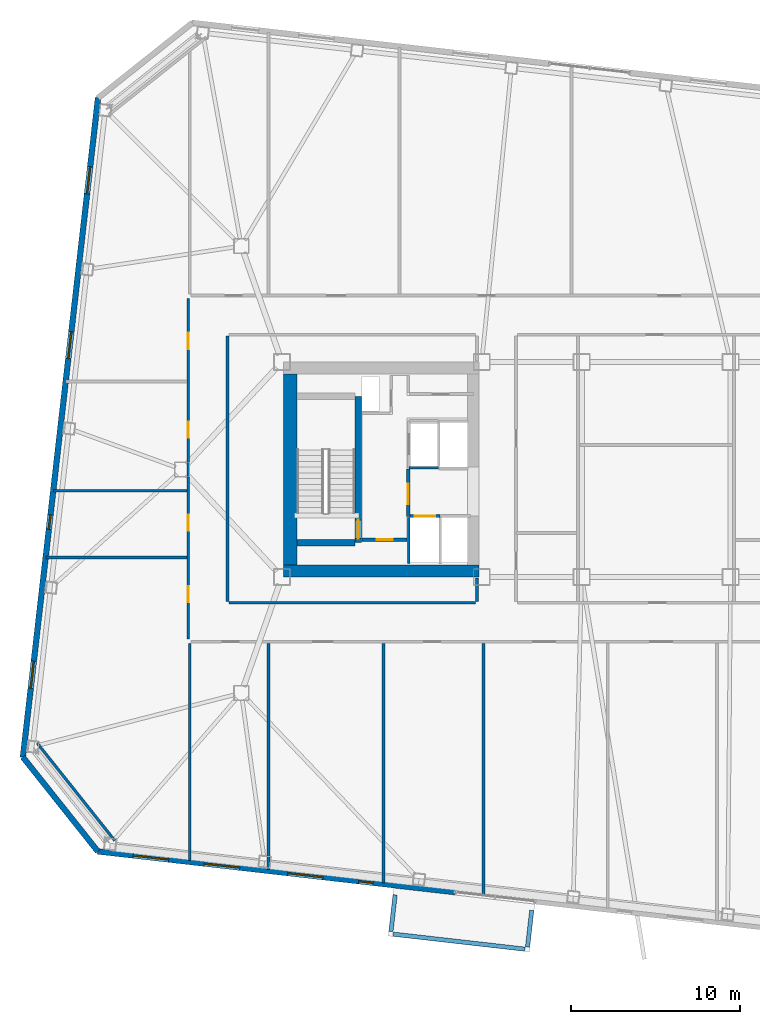
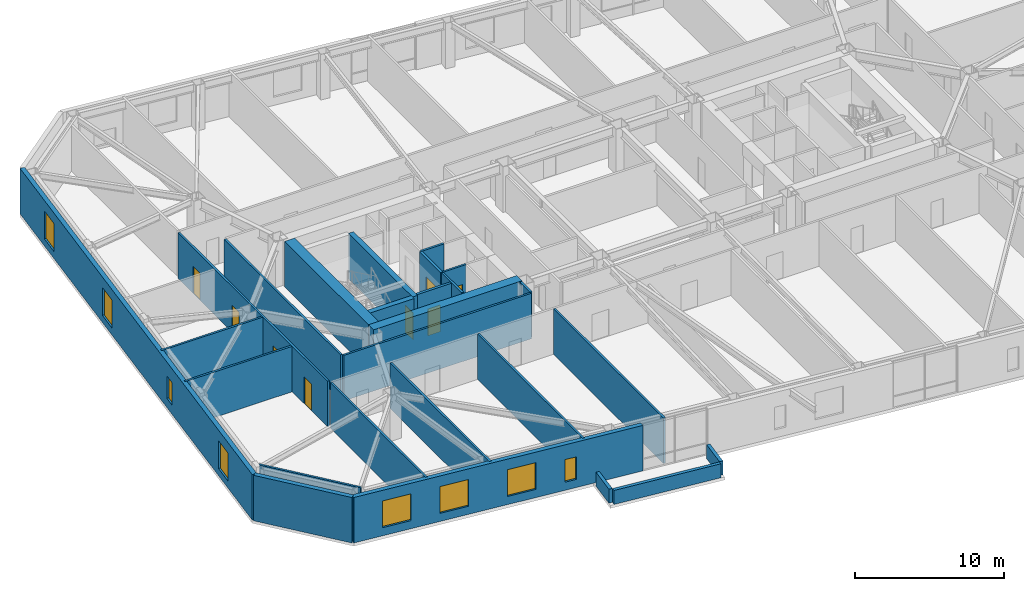
# One storey, part 11 of 20: 26 walls, 8 doors, 8 windows, 16 openings.
"""IFC4 building model written with IfcOpenShell, lengths in metres."""

from ifc_helpers import new_model, si_unit, direction, frame, frame_2d, origin, place, context, subcontext, project, spatial, rectangle, extrude, material, layer, layer_set, type_object, element, fill, save


model = new_model("IFC4")

# Units and contexts
model_context = context("Model", 3, precision=1e-05, world=origin(), true_north=direction((0.0, 1.0)))
body_context = subcontext(model_context, "Body", "Model", "MODEL_VIEW")
ifc_project = project(units=[si_unit("LENGTHUNIT", "METRE"), si_unit("AREAUNIT", "SQUARE_METRE"), si_unit("VOLUMEUNIT", "CUBIC_METRE"), si_unit("PLANEANGLEUNIT", "RADIAN"), si_unit("MASSUNIT", "GRAM", prefix="KILO")], contexts=[model_context])

# Site, building, storey
site_placement = place(None, origin())
site = spatial("IfcSite", under=ifc_project, at=site_placement, CompositionType="ELEMENT")
building_placement = place(site_placement, origin())
building = spatial("IfcBuilding", under=site, at=building_placement, Name="Tavrogorsk Clinical Tower", CompositionType="ELEMENT")
storey_placement = place(building_placement, frame((0.0, 0.0, 105.39990234375)))
storey = spatial("IfcBuildingStorey", under=building, at=storey_placement, Name="L23", CompositionType="ELEMENT", Elevation=105.39990234375)

# Wall, opening, door
ifc_material_1 = material(Name="Concrete B60", Category="concrete")
ifc_layer_1 = layer(ifc_material_1, 0.199951171875)
ifc_layer_set_1 = layer_set([ifc_layer_1], Name="Concrete B60")
wall_type_1 = type_object("IfcWallType", Name="CoreFireWall_200", PredefinedType="SOLIDWALL", material=ifc_layer_set_1)
wall_1_placement = place(storey_placement, frame((-17.3798828125, -4.139892578125, 0.0), z_axis=(0.0, 0.0, 1.0), x_axis=(1.0, 0.0, 0.0)))
wall_1 = element("IfcWall", 1, at=wall_1_placement, inside=storey, type_object=wall_type_1, Name="L23 Core West South Core Room Fire Wall", PredefinedType="SOLIDWALL", context=body_context, shape_type="SweptSolid", body=[
    extrude(rectangle(XDim=2.659912109375, YDim=0.199951171875, at=frame_2d((1.330078125, 0.0))), origin(), (0.0, 0.0, 1.0), 3.739990234375),
])
opening_1_placement = place(wall_1_placement, frame((0.8798828125, 0.0, 0.0)))
opening_1 = element("IfcOpeningElement", 2, at=opening_1_placement, cuts=wall_1, Name="Opening ID-02", PredefinedType="OPENING", context=body_context, shape_type="SweptSolid", body=[
    extrude(rectangle(XDim=0.949951171875, YDim=2.199951171875, at=frame_2d((0.47509765625, 1.10009765625))), frame((0.0, 0.10986328125, 0.0), z_axis=(0.0, -1.0, 0.0), x_axis=(1.0, 0.0, 0.0)), (0.0, 0.0, 1.0), 0.219970703125),
])
ifc_material_2 = material(Name="Laminated timber leaf on aluminium frame", Category="wood")
door_type_1 = type_object("IfcDoorType", Name="InteriorDoor_ID02_950", OperationType="NOTDEFINED", PredefinedType="DOOR", material=ifc_material_2)
door_1_placement = place(opening_1_placement, origin())
door_1 = element("IfcDoor", 3, at=door_1_placement, inside=storey, type_object=door_type_1, Name="L23 Core West South Core Room Door", OperationType="SINGLE_SWING_RIGHT", OverallHeight=2.199951171875, OverallWidth=0.949951171875, PredefinedType="DOOR", context=body_context, shape_type="SweptSolid", body=[
    extrude(rectangle(XDim=0.949951171875, YDim=2.199951171875, at=frame_2d((0.47509765625, 1.10009765625))), frame((0.0, 0.02490234375, 0.0), z_axis=(0.0, -1.0, 0.0), x_axis=(1.0, 0.0, 0.0)), (0.0, 0.0, 1.0), 0.050048828125),
])
fill(opening_1, door_1)

wall_2_placement = place(storey_placement, frame((-14.639892578125, -2.780029296875, 0.0), z_axis=(0.0, 0.0, 1.0), x_axis=(0.0, 1.0, 0.0)))
wall_2 = element("IfcWall", 4, at=wall_2_placement, inside=storey, type_object=wall_type_1, Name="L23 Core West Firefighting Lobby Fire Wall", PredefinedType="SOLIDWALL", context=body_context, shape_type="SweptSolid", body=[
    extrude(rectangle(XDim=2.820068359375, YDim=0.199951171875, at=frame_2d((1.41015625, 0.0))), origin(), (0.0, 0.0, 1.0), 3.739990234375),
])
opening_2_placement = place(wall_2_placement, frame((0.72998046875, 0.0, 0.0)))
opening_2 = element("IfcOpeningElement", 5, at=opening_2_placement, cuts=wall_2, Name="Opening FD-01", PredefinedType="OPENING", context=body_context, shape_type="SweptSolid", body=[
    extrude(rectangle(XDim=1.199951171875, YDim=2.199951171875, at=frame_2d((0.60009765625, 1.10009765625))), frame((0.0, 0.10986328125, 0.0), z_axis=(0.0, -1.0, 0.0), x_axis=(1.0, 0.0, 0.0)), (0.0, 0.0, 1.0), 0.219970703125),
])
ifc_material_3 = material(Name="Galvanised steel fire-rated door assembly", Category="steel")
door_type_2 = type_object("IfcDoorType", Name="FireDoor_FD01_1200", OperationType="NOTDEFINED", PredefinedType="DOOR", material=ifc_material_3)
door_2_placement = place(opening_2_placement, origin())
door_2 = element("IfcDoor", 6, at=door_2_placement, inside=storey, type_object=door_type_2, Name="L23 Core West Firefighting Lobby Entry Door", OperationType="SINGLE_SWING_RIGHT", OverallHeight=2.199951171875, OverallWidth=1.199951171875, PredefinedType="DOOR", context=body_context, shape_type="SweptSolid", body=[
    extrude(rectangle(XDim=1.199951171875, YDim=2.199951171875, at=frame_2d((0.60009765625, 1.10009765625))), frame((0.0, 0.02490234375, 0.0), z_axis=(0.0, -1.0, 0.0), x_axis=(1.0, 0.0, 0.0)), (0.0, 0.0, 1.0), 0.050048828125),
])
fill(opening_2, door_2)

# Wall
ifc_material_4 = material(Name="Lightweight concrete blockwork B15", Category="masonry")
ifc_layer_2 = layer(ifc_material_4, 0.159912109375)
ifc_layer_set_2 = layer_set([ifc_layer_2], Name="Lightweight concrete blockwork B15")
wall_type_2 = type_object("IfcWallType", Name="PartitionWall_160", PredefinedType="PARTITIONING", material=ifc_layer_set_2)
wall_3_placement = place(storey_placement, frame((-36.555908203125, -16.161865234375, 0.0), z_axis=(0.0, 0.0, 1.0), x_axis=(0.622522641622, -0.782601789334, 0.0)))
element("IfcWall", 7, at=wall_3_placement, inside=storey, type_object=wall_type_2, Name="L23 Corner Exoskeleton Brace Furring Wall 4", PredefinedType="PARTITIONING", context=body_context, shape_type="SweptSolid", body=[
    extrude(rectangle(XDim=7.354248046875, YDim=0.159912109375, at=frame_2d((3.67724609375, 0.0))), origin(), (0.0, 0.0, 1.0), 3.739990234375),
])

# Wall, openings, doors
wall_4_placement = place(storey_placement, frame((-27.6298828125, -10.014892578125, 0.0), z_axis=(0.0, 0.0, 1.0), x_axis=(0.0, 1.0, 0.0)))
wall_4 = element("IfcWall", 8, at=wall_4_placement, inside=storey, type_object=wall_type_2, Name="L23 Corridor Partition 01", PredefinedType="PARTITIONING", context=body_context, shape_type="SweptSolid", body=[
    extrude(rectangle(XDim=20.1298828125, YDim=0.159912109375, at=frame_2d((10.06494140625, 0.0))), origin(), (0.0, 0.0, 1.0), 3.739990234375),
])
opening_3_placement = place(wall_4_placement, frame((2.169189453125, 0.0, 0.0)))
opening_3 = element("IfcOpeningElement", 9, at=opening_3_placement, cuts=wall_4, Name="Opening ID-02", PredefinedType="OPENING", context=body_context, shape_type="SweptSolid", body=[
    extrude(rectangle(XDim=0.949951171875, YDim=2.199951171875, at=frame_2d((0.47509765625, 1.10009765625))), frame((0.0, 0.08984375, 0.0), z_axis=(0.0, -1.0, 0.0), x_axis=(1.0, 0.0, 0.0)), (0.0, 0.0, 1.0), 0.179931640625),
])
opening_4_placement = place(wall_4_placement, frame((6.39990234375, 0.0, 0.0)))
opening_4 = element("IfcOpeningElement", 10, at=opening_4_placement, cuts=wall_4, Name="Opening ID-02", PredefinedType="OPENING", context=body_context, shape_type="SweptSolid", body=[
    extrude(rectangle(XDim=0.949951171875, YDim=2.199951171875, at=frame_2d((0.47509765625, 1.10009765625))), frame((0.0, 0.08984375, 0.0), z_axis=(0.0, -1.0, 0.0), x_axis=(1.0, 0.0, 0.0)), (0.0, 0.0, 1.0), 0.179931640625),
])
opening_5_placement = place(wall_4_placement, frame((11.89990234375, 0.0, 0.0)))
opening_5 = element("IfcOpeningElement", 11, at=opening_5_placement, cuts=wall_4, Name="Opening ID-02", PredefinedType="OPENING", context=body_context, shape_type="SweptSolid", body=[
    extrude(rectangle(XDim=0.949951171875, YDim=2.199951171875, at=frame_2d((0.47509765625, 1.10009765625))), frame((0.0, 0.08984375, 0.0), z_axis=(0.0, -1.0, 0.0), x_axis=(1.0, 0.0, 0.0)), (0.0, 0.0, 1.0), 0.179931640625),
])
opening_6_placement = place(wall_4_placement, frame((17.130859375, 0.0, 0.0)))
opening_6 = element("IfcOpeningElement", 12, at=opening_6_placement, cuts=wall_4, Name="Opening ID-02", PredefinedType="OPENING", context=body_context, shape_type="SweptSolid", body=[
    extrude(rectangle(XDim=0.949951171875, YDim=2.199951171875, at=frame_2d((0.47509765625, 1.10009765625))), frame((0.0, 0.08984375, 0.0), z_axis=(0.0, -1.0, 0.0), x_axis=(1.0, 0.0, 0.0)), (0.0, 0.0, 1.0), 0.179931640625),
])
door_3_placement = place(opening_3_placement, origin())
door_3 = element("IfcDoor", 13, at=door_3_placement, inside=storey, type_object=door_type_1, Name="L23 W Solarium Day Room & Lounge 1 Door", OperationType="SINGLE_SWING_LEFT", OverallHeight=2.199951171875, OverallWidth=0.949951171875, PredefinedType="DOOR", context=body_context, shape_type="SweptSolid", body=[
    extrude(rectangle(XDim=0.949951171875, YDim=2.199951171875, at=frame_2d((0.47509765625, 1.10009765625))), frame((0.0, 0.02490234375, 0.0), z_axis=(0.0, -1.0, 0.0), x_axis=(1.0, 0.0, 0.0)), (0.0, 0.0, 1.0), 0.050048828125),
])
fill(opening_3, door_3)
door_4_placement = place(opening_4_placement, origin())
door_4 = element("IfcDoor", 14, at=door_4_placement, inside=storey, type_object=door_type_1, Name="L23 W Rehabilitation Therapy Suite 2 Door", OperationType="SINGLE_SWING_RIGHT", OverallHeight=2.199951171875, OverallWidth=0.949951171875, PredefinedType="DOOR", context=body_context, shape_type="SweptSolid", body=[
    extrude(rectangle(XDim=0.949951171875, YDim=2.199951171875, at=frame_2d((0.47509765625, 1.10009765625))), frame((0.0, 0.02490234375, 0.0), z_axis=(0.0, -1.0, 0.0), x_axis=(1.0, 0.0, 0.0)), (0.0, 0.0, 1.0), 0.050048828125),
])
fill(opening_4, door_4)
door_5_placement = place(opening_5_placement, origin())
door_5 = element("IfcDoor", 15, at=door_5_placement, inside=storey, type_object=door_type_1, Name="L23 W Sub-Acute Observation Suite 3 Door", OperationType="SINGLE_SWING_LEFT", OverallHeight=2.199951171875, OverallWidth=0.949951171875, PredefinedType="DOOR", context=body_context, shape_type="SweptSolid", body=[
    extrude(rectangle(XDim=0.949951171875, YDim=2.199951171875, at=frame_2d((0.47509765625, 1.10009765625))), frame((0.0, 0.02490234375, 0.0), z_axis=(0.0, -1.0, 0.0), x_axis=(1.0, 0.0, 0.0)), (0.0, 0.0, 1.0), 0.050048828125),
])
fill(opening_5, door_5)
door_6_placement = place(opening_6_placement, origin())
door_6 = element("IfcDoor", 16, at=door_6_placement, inside=storey, type_object=door_type_1, Name="L23 W Family Consultation Lounge 4 Door", OperationType="SINGLE_SWING_RIGHT", OverallHeight=2.199951171875, OverallWidth=0.949951171875, PredefinedType="DOOR", context=body_context, shape_type="SweptSolid", body=[
    extrude(rectangle(XDim=0.949951171875, YDim=2.199951171875, at=frame_2d((0.47509765625, 1.10009765625))), frame((0.0, 0.02490234375, 0.0), z_axis=(0.0, -1.0, 0.0), x_axis=(1.0, 0.0, 0.0)), (0.0, 0.0, 1.0), 0.050048828125),
])
fill(opening_6, door_6)

# Walls
wall_5_placement = place(storey_placement, frame((-10.580078125, -7.784912109375, 0.0), z_axis=(0.0, 0.0, 1.0), x_axis=(0.0, 1.0, 0.0)))
element("IfcWall", 17, at=wall_5_placement, inside=storey, type_object=wall_type_2, Name="L23 Corridor Partition 14", PredefinedType="PARTITIONING", context=body_context, shape_type="SweptSolid", body=[
    extrude(rectangle(XDim=1.364990234375, YDim=0.159912109375, at=frame_2d((0.6826171875, 0.0))), origin(), (0.0, 0.0, 1.0), 3.739990234375),
])
wall_6_placement = place(storey_placement, frame((-25.320068359375, 7.885009765625, 0.0), z_axis=(0.0, 0.0, 1.0), x_axis=(0.0, -1.0, 0.0)))
element("IfcWall", 18, at=wall_6_placement, inside=storey, type_object=wall_type_2, Name="L23 Corridor Partition 17", PredefinedType="PARTITIONING", context=body_context, shape_type="SweptSolid", body=[
    extrude(rectangle(XDim=15.669921875, YDim=0.159912109375, at=frame_2d((7.8349609375, 0.0))), origin(), (0.0, 0.0, 1.0), 3.739990234375),
])
wall_7_placement = place(storey_placement, frame((-25.235107421875, -7.8701171875, 0.0), z_axis=(0.0, 0.0, 1.0), x_axis=(1.0, 0.0, 0.0)))
element("IfcWall", 19, at=wall_7_placement, inside=storey, type_object=wall_type_2, Name="L23 Corridor Partition 18", PredefinedType="PARTITIONING", context=body_context, shape_type="SweptSolid", body=[
    extrude(rectangle(XDim=14.570068359375, YDim=0.159912109375, at=frame_2d((7.28515625, 0.0))), origin(), (0.0, 0.0, 1.0), 3.739990234375),
])
wall_8_placement = place(storey_placement, frame((-27.550048828125, -23.1064453125, 0.0), z_axis=(0.0, 0.0, 1.0), x_axis=(0.0, 1.0, 0.0)))
element("IfcWall", 20, at=wall_8_placement, inside=storey, type_object=wall_type_2, Name="L23 SW Wing Closure Partition", PredefinedType="PARTITIONING", context=body_context, shape_type="SweptSolid", body=[
    extrude(rectangle(XDim=12.841552734375, YDim=0.159912109375, at=frame_2d((6.4208984375, 0.0))), origin(), (0.0, 0.0, 1.0), 3.739990234375),
])
wall_9_placement = place(storey_placement, frame((-22.89990234375, -23.63623046875, 0.0), z_axis=(0.0, 0.0, 1.0), x_axis=(0.0, 1.0, 0.0)))
element("IfcWall", 21, at=wall_9_placement, inside=storey, type_object=wall_type_2, Name="L23 South Room Partition 1", PredefinedType="PARTITIONING", context=body_context, shape_type="SweptSolid", body=[
    extrude(rectangle(XDim=13.371337890625, YDim=0.159912109375, at=frame_2d((6.685546875, 0.0))), origin(), (0.0, 0.0, 1.0), 3.739990234375),
])
wall_10_placement = place(storey_placement, frame((-10.199951171875, -25.083251953125, 0.0), z_axis=(0.0, 0.0, 1.0), x_axis=(0.0, 1.0, 0.0)))
element("IfcWall", 22, at=wall_10_placement, inside=storey, type_object=wall_type_2, Name="L23 South Room Partition 2", PredefinedType="PARTITIONING", context=body_context, shape_type="SweptSolid", body=[
    extrude(rectangle(XDim=14.818359375, YDim=0.159912109375, at=frame_2d((7.4091796875, 0.0))), origin(), (0.0, 0.0, 1.0), 3.739990234375),
])
wall_11_placement = place(storey_placement, frame((-16.10009765625, -24.4111328125, 0.0), z_axis=(0.0, 0.0, 1.0), x_axis=(0.0, 1.0, 0.0)))
element("IfcWall", 23, at=wall_11_placement, inside=storey, type_object=wall_type_2, Name="L23 South Sub-Partition 2", PredefinedType="PARTITIONING", context=body_context, shape_type="SweptSolid", body=[
    extrude(rectangle(XDim=14.146240234375, YDim=0.159912109375, at=frame_2d((7.0732421875, 0.0))), origin(), (0.0, 0.0, 1.0), 3.739990234375),
])
wall_12_placement = place(storey_placement, frame((-36.0419921875, -5.199951171875, 0.0), z_axis=(0.0, 0.0, 1.0), x_axis=(1.0, 0.0, 0.0)))
element("IfcWall", 24, at=wall_12_placement, inside=storey, type_object=wall_type_2, Name="L23 W Wing Divider 1", PredefinedType="PARTITIONING", context=body_context, shape_type="SweptSolid", body=[
    extrude(rectangle(XDim=8.326904296875, YDim=0.159912109375, at=frame_2d((4.16357421875, 0.0))), origin(), (0.0, 0.0, 1.0), 3.739990234375),
])
wall_13_placement = place(storey_placement, frame((-35.592041015625, -1.25, 0.0), z_axis=(0.0, 0.0, 1.0), x_axis=(1.0, 0.0, 0.0)))
element("IfcWall", 25, at=wall_13_placement, inside=storey, type_object=wall_type_2, Name="L23 W Wing Divider 2", PredefinedType="PARTITIONING", context=body_context, shape_type="SweptSolid", body=[
    extrude(rectangle(XDim=7.876953125, YDim=0.159912109375, at=frame_2d((3.9384765625, 0.0))), origin(), (0.0, 0.0, 1.0), 3.739990234375),
])

# Wall, openings, windows
ifc_material_5 = material(Name="Precast concrete B45 with limestone cladding", Category="masonry")
ifc_layer_3 = layer(ifc_material_5, 0.340087890625)
ifc_layer_set_3 = layer_set([ifc_layer_3], Name="Precast concrete B45 with limestone cladding")
wall_type_3 = type_object("IfcWallType", Name="PrecastLimestoneWall_340", PredefinedType="STANDARD", material=ifc_layer_set_3)
wall_14_placement = place(storey_placement, frame((-32.977294921875, -22.55859375, 0.0), z_axis=(0.0, 0.0, 1.0), x_axis=(0.993571214605, -0.113208840243, 0.0)))
wall_14 = element("IfcWall", 26, at=wall_14_placement, inside=storey, type_object=wall_type_3, Name="L23 S Limestone Facade Wall 1", PredefinedType="STANDARD", context=body_context, shape_type="SweptSolid", body=[
    extrude(rectangle(XDim=21.22265625, YDim=0.340087890625, at=frame_2d((10.611328125, 0.0))), origin(), (0.0, 0.0, 1.0), 3.739990234375),
])
opening_7_placement = place(wall_14_placement, frame((2.10791015625, 0.0, 0.669921875)))
opening_7 = element("IfcOpeningElement", 27, at=opening_7_placement, cuts=wall_14, Name="Opening WN-03", PredefinedType="OPENING", context=body_context, shape_type="SweptSolid", body=[
    extrude(rectangle(XDim=2.10009765625, YDim=2.199951171875, at=frame_2d((1.050048828125, 1.10009765625))), frame((0.0, 0.179931640625, 0.0), z_axis=(0.0, -1.0, 0.0), x_axis=(1.0, 0.0, 0.0)), (0.0, 0.0, 1.0), 0.360107421875),
])
opening_8_placement = place(wall_14_placement, frame((6.329345703125, 0.0, 0.669921875)))
opening_8 = element("IfcOpeningElement", 28, at=opening_8_placement, cuts=wall_14, Name="Opening WN-03", PredefinedType="OPENING", context=body_context, shape_type="SweptSolid", body=[
    extrude(rectangle(XDim=2.10009765625, YDim=2.199951171875, at=frame_2d((1.050048828125, 1.10009765625))), frame((0.0, 0.179931640625, 0.0), z_axis=(0.0, -1.0, 0.0), x_axis=(1.0, 0.0, 0.0)), (0.0, 0.0, 1.0), 0.360107421875),
])
opening_9_placement = place(wall_14_placement, frame((11.284912109375, 0.0, 0.669921875)))
opening_9 = element("IfcOpeningElement", 29, at=opening_9_placement, cuts=wall_14, Name="Opening WN-03", PredefinedType="OPENING", context=body_context, shape_type="SweptSolid", body=[
    extrude(rectangle(XDim=2.10009765625, YDim=2.199951171875, at=frame_2d((1.050048828125, 1.10009765625))), frame((0.0, 0.179931640625, 0.0), z_axis=(0.0, -1.0, 0.0), x_axis=(1.0, 0.0, 0.0)), (0.0, 0.0, 1.0), 0.360107421875),
])
opening_10_placement = place(wall_14_placement, frame((15.50634765625, 0.0, 0.669921875)))
opening_10 = element("IfcOpeningElement", 30, at=opening_10_placement, cuts=wall_14, Name="Opening WN-06", PredefinedType="OPENING", context=body_context, shape_type="SweptSolid", body=[
    extrude(rectangle(XDim=0.85009765625, YDim=1.85009765625, at=frame_2d((0.425048828125, 0.925048828125))), frame((0.0, 0.179931640625, 0.0), z_axis=(0.0, -1.0, 0.0), x_axis=(1.0, 0.0, 0.0)), (0.0, 0.0, 1.0), 0.360107421875),
])
ifc_material_6 = material(Name="Thermally broken aluminium frame and triple IGU", Category="aluminium")
window_type_1 = type_object("IfcWindowType", Name="MullionSubWin_850x1850", PartitioningType="SINGLE_PANEL", PredefinedType="WINDOW", material=ifc_material_6)
window_1_placement = place(opening_10_placement, origin())
window_1 = element("IfcWindow", 31, at=window_1_placement, inside=storey, type_object=window_type_1, Name="L23 S Mullion Split Window 04A", OverallHeight=1.85009765625, OverallWidth=0.85009765625, PartitioningType="SINGLE_PANEL", PredefinedType="WINDOW", context=body_context, shape_type="SweptSolid", body=[
    extrude(rectangle(XDim=0.85009765625, YDim=1.85009765625, at=frame_2d((0.425048828125, 0.925048828125))), frame((0.0, 0.030029296875, 0.0), z_axis=(0.0, -1.0, 0.0), x_axis=(1.0, 0.0, 0.0)), (0.0, 0.0, 1.0), 0.06005859375),
])
fill(opening_10, window_1)
ifc_material_7 = material(Name="Thermally broken aluminium frame and triple IGU", Category="aluminium")
window_type_2 = type_object("IfcWindowType", Name="PatientTwinWin_2100x2200", PartitioningType="DOUBLE_PANEL_VERTICAL", PredefinedType="WINDOW", material=ifc_material_7)
window_2_placement = place(opening_7_placement, origin())
window_2 = element("IfcWindow", 32, at=window_2_placement, inside=storey, type_object=window_type_2, Name="L23 S Chicago Window 01", OverallHeight=2.199951171875, OverallWidth=2.10009765625, PartitioningType="SINGLE_PANEL", PredefinedType="WINDOW", context=body_context, shape_type="SweptSolid", body=[
    extrude(rectangle(XDim=2.10009765625, YDim=2.199951171875, at=frame_2d((1.050048828125, 1.10009765625))), frame((0.0, 0.030029296875, 0.0), z_axis=(0.0, -1.0, 0.0), x_axis=(1.0, 0.0, 0.0)), (0.0, 0.0, 1.0), 0.06005859375),
])
fill(opening_7, window_2)
window_3_placement = place(opening_8_placement, origin())
window_3 = element("IfcWindow", 33, at=window_3_placement, inside=storey, type_object=window_type_2, Name="L23 S Chicago Window 02", OverallHeight=2.199951171875, OverallWidth=2.10009765625, PartitioningType="SINGLE_PANEL", PredefinedType="WINDOW", context=body_context, shape_type="SweptSolid", body=[
    extrude(rectangle(XDim=2.10009765625, YDim=2.199951171875, at=frame_2d((1.050048828125, 1.10009765625))), frame((0.0, 0.030029296875, 0.0), z_axis=(0.0, -1.0, 0.0), x_axis=(1.0, 0.0, 0.0)), (0.0, 0.0, 1.0), 0.06005859375),
])
fill(opening_8, window_3)
window_4_placement = place(opening_9_placement, origin())
window_4 = element("IfcWindow", 34, at=window_4_placement, inside=storey, type_object=window_type_2, Name="L23 S Chicago Window 03", OverallHeight=2.199951171875, OverallWidth=2.10009765625, PartitioningType="SINGLE_PANEL", PredefinedType="WINDOW", context=body_context, shape_type="SweptSolid", body=[
    extrude(rectangle(XDim=2.10009765625, YDim=2.199951171875, at=frame_2d((1.050048828125, 1.10009765625))), frame((0.0, 0.030029296875, 0.0), z_axis=(0.0, -1.0, 0.0), x_axis=(1.0, 0.0, 0.0)), (0.0, 0.0, 1.0), 0.06005859375),
])
fill(opening_9, window_4)

wall_15_placement = place(storey_placement, frame((-32.968017578125, 21.95654296875, 0.0), z_axis=(0.0, 0.0, 1.0), x_axis=(-0.113201605824, -0.993572038877, 0.0)))
wall_15 = element("IfcWall", 35, at=wall_15_placement, inside=storey, type_object=wall_type_3, Name="L23 W Pleated Limestone Wing Wall", PredefinedType="STANDARD", context=body_context, shape_type="SweptSolid", body=[
    extrude(rectangle(XDim=39.199951171875, YDim=0.340087890625, at=frame_2d((19.60009765625, 0.0))), origin(), (0.0, 0.0, 1.0), 3.739990234375),
])
opening_11_placement = place(wall_15_placement, frame((4.10009765625, 0.0, 0.580078125)))
opening_11 = element("IfcOpeningElement", 36, at=opening_11_placement, cuts=wall_15, Name="Opening WN-07", PredefinedType="OPENING", context=body_context, shape_type="SweptSolid", body=[
    extrude(rectangle(XDim=1.60009765625, YDim=2.300048828125, at=frame_2d((0.800048828125, 1.14990234375))), frame((0.0, 0.179931640625, 0.0), z_axis=(0.0, -1.0, 0.0), x_axis=(1.0, 0.0, 0.0)), (0.0, 0.0, 1.0), 0.360107421875),
])
opening_12_placement = place(wall_15_placement, frame((13.89990234375, 0.0, 0.580078125)))
opening_12 = element("IfcOpeningElement", 37, at=opening_12_placement, cuts=wall_15, Name="Opening WN-07", PredefinedType="OPENING", context=body_context, shape_type="SweptSolid", body=[
    extrude(rectangle(XDim=1.60009765625, YDim=2.300048828125, at=frame_2d((0.800048828125, 1.14990234375))), frame((0.0, 0.179931640625, 0.0), z_axis=(0.0, -1.0, 0.0), x_axis=(1.0, 0.0, 0.0)), (0.0, 0.0, 1.0), 0.360107421875),
])
opening_13_placement = place(wall_15_placement, frame((24.800048828125, 0.0, 0.75)))
opening_13 = element("IfcOpeningElement", 38, at=opening_13_placement, cuts=wall_15, Name="Opening WN-06", PredefinedType="OPENING", context=body_context, shape_type="SweptSolid", body=[
    extrude(rectangle(XDim=0.85009765625, YDim=1.85009765625, at=frame_2d((0.425048828125, 0.925048828125))), frame((0.0, 0.179931640625, 0.0), z_axis=(0.0, -1.0, 0.0), x_axis=(1.0, 0.0, 0.0)), (0.0, 0.0, 1.0), 0.360107421875),
])
opening_14_placement = place(wall_15_placement, frame((33.5, 0.0, 0.580078125)))
opening_14 = element("IfcOpeningElement", 39, at=opening_14_placement, cuts=wall_15, Name="Opening WN-07", PredefinedType="OPENING", context=body_context, shape_type="SweptSolid", body=[
    extrude(rectangle(XDim=1.60009765625, YDim=2.300048828125, at=frame_2d((0.800048828125, 1.14990234375))), frame((0.0, 0.179931640625, 0.0), z_axis=(0.0, -1.0, 0.0), x_axis=(1.0, 0.0, 0.0)), (0.0, 0.0, 1.0), 0.360107421875),
])
window_5_placement = place(opening_13_placement, origin())
window_5 = element("IfcWindow", 40, at=window_5_placement, inside=storey, type_object=window_type_1, Name="L23 W Pleat Mullion Window 3B", OverallHeight=1.85009765625, OverallWidth=0.85009765625, PartitioningType="SINGLE_PANEL", PredefinedType="WINDOW", context=body_context, shape_type="SweptSolid", body=[
    extrude(rectangle(XDim=0.85009765625, YDim=1.85009765625, at=frame_2d((0.425048828125, 0.925048828125))), frame((0.0, 0.030029296875, 0.0), z_axis=(0.0, -1.0, 0.0), x_axis=(1.0, 0.0, 0.0)), (0.0, 0.0, 1.0), 0.06005859375),
])
fill(opening_13, window_5)
ifc_material_8 = material(Name="Thermally broken aluminium frame and triple IGU", Category="aluminium")
window_type_3 = type_object("IfcWindowType", Name="PleatSlotWin_1600x2300", PartitioningType="SINGLE_PANEL", PredefinedType="WINDOW", material=ifc_material_8)
window_6_placement = place(opening_11_placement, origin())
window_6 = element("IfcWindow", 41, at=window_6_placement, inside=storey, type_object=window_type_3, Name="L23 W Pleat Slot Window 1", OverallHeight=2.300048828125, OverallWidth=1.60009765625, PartitioningType="SINGLE_PANEL", PredefinedType="WINDOW", context=body_context, shape_type="SweptSolid", body=[
    extrude(rectangle(XDim=1.60009765625, YDim=2.300048828125, at=frame_2d((0.800048828125, 1.14990234375))), frame((0.0, 0.030029296875, 0.0), z_axis=(0.0, -1.0, 0.0), x_axis=(1.0, 0.0, 0.0)), (0.0, 0.0, 1.0), 0.06005859375),
])
fill(opening_11, window_6)
window_7_placement = place(opening_12_placement, origin())
window_7 = element("IfcWindow", 42, at=window_7_placement, inside=storey, type_object=window_type_3, Name="L23 W Pleat Slot Window 2", OverallHeight=2.300048828125, OverallWidth=1.60009765625, PartitioningType="SINGLE_PANEL", PredefinedType="WINDOW", context=body_context, shape_type="SweptSolid", body=[
    extrude(rectangle(XDim=1.60009765625, YDim=2.300048828125, at=frame_2d((0.800048828125, 1.14990234375))), frame((0.0, 0.030029296875, 0.0), z_axis=(0.0, -1.0, 0.0), x_axis=(1.0, 0.0, 0.0)), (0.0, 0.0, 1.0), 0.06005859375),
])
fill(opening_12, window_7)
window_8_placement = place(opening_14_placement, origin())
window_8 = element("IfcWindow", 43, at=window_8_placement, inside=storey, type_object=window_type_3, Name="L23 W Pleat Slot Window 4", OverallHeight=2.300048828125, OverallWidth=1.60009765625, PartitioningType="SINGLE_PANEL", PredefinedType="WINDOW", context=body_context, shape_type="SweptSolid", body=[
    extrude(rectangle(XDim=1.60009765625, YDim=2.300048828125, at=frame_2d((0.800048828125, 1.14990234375))), frame((0.0, 0.030029296875, 0.0), z_axis=(0.0, -1.0, 0.0), x_axis=(1.0, 0.0, 0.0)), (0.0, 0.0, 1.0), 0.06005859375),
])
fill(opening_14, window_8)

# Walls
wall_16_placement = place(storey_placement, frame((-37.405517578125, -16.991455078125, 0.0), z_axis=(0.0, 0.0, 1.0), x_axis=(0.622507800567, -0.78261359446, 0.0)))
element("IfcWall", 44, at=wall_16_placement, inside=storey, type_object=wall_type_3, Name="L23 Chamfered Corner Wall 4", PredefinedType="STANDARD", context=body_context, shape_type="SweptSolid", body=[
    extrude(rectangle(XDim=7.113525390625, YDim=0.340087890625, at=frame_2d((3.556640625, 0.0))), origin(), (0.0, 0.0, 1.0), 3.739990234375),
])
ifc_material_9 = material(Name="Concrete B60", Category="concrete")
ifc_layer_4 = layer(ifc_material_9, 0.25)
ifc_layer_set_4 = layer_set([ifc_layer_4], Name="Concrete B60")
wall_type_4 = type_object("IfcWallType", Name="RoofParapetWall_250", PredefinedType="PARAPET", material=ifc_layer_set_4)
wall_17_placement = place(storey_placement, frame((-15.414794921875, -25.123291015625, 0.0), z_axis=(0.0, 0.0, 1.0), x_axis=(-0.113221265394, -0.993569798787, 0.0)))
element("IfcWall", 45, at=wall_17_placement, inside=storey, type_object=wall_type_4, Name="L23 Day-Room Roof Coping Parapet DRB-03-1", PredefinedType="PARAPET", context=body_context, shape_type="SweptSolid", body=[
    extrude(rectangle(XDim=2.179931640625, YDim=0.25, at=frame_2d((1.08984375, 0.0))), origin(), (0.0, 0.0, 1.0), 1.150146484375),
])
wall_18_placement = place(storey_placement, frame((-15.538330078125, -27.444091796875, 0.0), z_axis=(0.0, 0.0, 1.0), x_axis=(0.993569156748, -0.113226899453, 0.0)))
element("IfcWall", 46, at=wall_18_placement, inside=storey, type_object=wall_type_4, Name="L23 Day-Room Roof Coping Parapet DRB-03-2", PredefinedType="PARAPET", context=body_context, shape_type="SweptSolid", body=[
    extrude(rectangle(XDim=7.840087890625, YDim=0.25, at=frame_2d((3.919921875, 0.0))), origin(), (0.0, 0.0, 1.0), 1.150146484375),
])
wall_19_placement = place(storey_placement, frame((-7.59375, -28.20849609375, 0.0), z_axis=(0.0, 0.0, 1.0), x_axis=(0.113221265394, 0.993569798787, 0.0)))
element("IfcWall", 47, at=wall_19_placement, inside=storey, type_object=wall_type_4, Name="L23 Day-Room Roof Coping Parapet DRB-03-3", PredefinedType="PARAPET", context=body_context, shape_type="SweptSolid", body=[
    extrude(rectangle(XDim=2.179931640625, YDim=0.25, at=frame_2d((1.08984375, 0.0))), origin(), (0.0, 0.0, 1.0), 1.150146484375),
])
ifc_material_10 = material(Name="Lightweight concrete blockwork B25", Category="masonry")
ifc_layer_5 = layer(ifc_material_10, 0.159912109375)
ifc_layer_set_5 = layer_set([ifc_layer_5], Name="Lightweight concrete blockwork B25")
wall_type_5 = type_object("IfcWallType", Name="ShaftWall_160", PredefinedType="PARTITIONING", material=ifc_layer_set_5)
wall_20_placement = place(storey_placement, frame((-14.60009765625, 0.10009765625, 0.0), z_axis=(0.0, 0.0, 1.0), x_axis=(1.0, 0.0, 0.0)))
element("IfcWall", 48, at=wall_20_placement, inside=storey, type_object=wall_type_5, Name="L23 FFL-W Shaft South Wall", PredefinedType="PARTITIONING", context=body_context, shape_type="SweptSolid", body=[
    extrude(rectangle(XDim=1.760009765625, YDim=0.159912109375, at=frame_2d((0.8798828125, 0.0))), origin(), (0.0, 0.0, 1.0), 3.739990234375),
])

# Wall, opening, door
wall_21_placement = place(storey_placement, frame((-14.530029296875, -2.75, 0.0), z_axis=(0.0, 0.0, 1.0), x_axis=(1.0, 0.0, 0.0)))
wall_21 = element("IfcWall", 49, at=wall_21_placement, inside=storey, type_object=wall_type_5, Name="L23 LP-L1 Lift Shaft Portal Wall", PredefinedType="PARTITIONING", context=body_context, shape_type="SweptSolid", body=[
    extrude(rectangle(XDim=1.760009765625, YDim=0.159912109375, at=frame_2d((0.8798828125, 0.0))), origin(), (0.0, 0.0, 1.0), 3.739990234375),
])
opening_15_placement = place(wall_21_placement, frame((0.280029296875, 0.0, 0.0)))
opening_15 = element("IfcOpeningElement", 50, at=opening_15_placement, cuts=wall_21, Name="Opening LD", PredefinedType="OPENING", context=body_context, shape_type="SweptSolid", body=[
    extrude(rectangle(XDim=1.199951171875, YDim=2.199951171875, at=frame_2d((0.60009765625, 1.10009765625))), frame((0.0, 0.08984375, 0.0), z_axis=(0.0, -1.0, 0.0), x_axis=(1.0, 0.0, 0.0)), (0.0, 0.0, 1.0), 0.179931640625),
])
ifc_material_11 = material(Name="Brushed stainless steel AISI 304 sliding doors", Category="steel")
door_type_3 = type_object("IfcDoorType", Name="LiftLandingDoor_LD_1200", OperationType="SLIDING_TO_LEFT", PredefinedType="DOOR", material=ifc_material_11)
door_7_placement = place(opening_15_placement, origin())
door_7 = element("IfcDoor", 51, at=door_7_placement, inside=storey, type_object=door_type_3, Name="L23 LP-L1 Sliding Lift Landing Door", OperationType="SLIDING_TO_LEFT", OverallHeight=2.199951171875, OverallWidth=1.199951171875, PredefinedType="DOOR", context=body_context, shape_type="SweptSolid", body=[
    extrude(rectangle(XDim=1.199951171875, YDim=2.199951171875, at=frame_2d((0.60009765625, 1.10009765625))), frame((0.0, 0.02490234375, 0.0), z_axis=(0.0, -1.0, 0.0), x_axis=(1.0, 0.0, 0.0)), (0.0, 0.0, 1.0), 0.050048828125),
])
fill(opening_15, door_7)

# Wall
wall_22_placement = place(storey_placement, frame((-14.610107421875, -5.5400390625, 0.0), z_axis=(0.0, 0.0, 1.0), x_axis=(0.0, 1.0, 0.0)))
element("IfcWall", 52, at=wall_22_placement, inside=storey, type_object=wall_type_5, Name="L23 LP-L1 Lift Hoistway Outer Cheek Wall", PredefinedType="PARTITIONING", context=body_context, shape_type="SweptSolid", body=[
    extrude(rectangle(XDim=2.699951171875, YDim=0.159912109375, at=frame_2d((1.35009765625, 0.0))), origin(), (0.0, 0.0, 1.0), 3.739990234375),
])

# Wall, opening, door
ifc_material_12 = material(Name="Concrete B80", Category="concrete")
ifc_layer_6 = layer(ifc_material_12, 0.39990234375)
ifc_layer_set_6 = layer_set([ifc_layer_6], Name="Concrete B80")
wall_type_6 = type_object("IfcWallType", Name="ShearWall_400", PredefinedType="SHEAR", material=ifc_layer_set_6)
wall_23_placement = place(storey_placement, frame((-17.60009765625, -4.324951171875, 0.0), z_axis=(0.0, 0.0, 1.0), x_axis=(0.0, 1.0, 0.0)))
wall_23 = element("IfcWall", 53, at=wall_23_placement, inside=storey, type_object=wall_type_6, Name="L23 Core West Stair Shaft Inner Shear Wall", PredefinedType="SHEAR", context=body_context, shape_type="SweptSolid", body=[
    extrude(rectangle(XDim=8.64990234375, YDim=0.39990234375, at=frame_2d((4.324951171875, 0.0))), origin(), (0.0, 0.0, 1.0), 3.739990234375),
])
opening_16_placement = place(wall_23_placement, frame((0.25, 0.0, 0.0)))
opening_16 = element("IfcOpeningElement", 54, at=opening_16_placement, cuts=wall_23, Name="Opening SD-01", PredefinedType="OPENING", context=body_context, shape_type="SweptSolid", body=[
    extrude(rectangle(XDim=1.10009765625, YDim=2.199951171875, at=frame_2d((0.550048828125, 1.10009765625))), frame((0.0, 0.2099609375, 0.0), z_axis=(0.0, -1.0, 0.0), x_axis=(1.0, 0.0, 0.0)), (0.0, 0.0, 1.0), 0.419921875),
])
ifc_material_13 = material(Name="Galvanised steel smoke-tight fire door assembly", Category="steel")
door_type_4 = type_object("IfcDoorType", Name="StairFireDoor_SD01_1100", OperationType="NOTDEFINED", PredefinedType="DOOR", material=ifc_material_13)
door_8_placement = place(opening_16_placement, origin())
door_8 = element("IfcDoor", 55, at=door_8_placement, inside=storey, type_object=door_type_4, Name="L23 ST-W Exit Stair Door", OperationType="SINGLE_SWING_RIGHT", OverallHeight=2.199951171875, OverallWidth=1.10009765625, PredefinedType="DOOR", context=body_context, shape_type="SweptSolid", body=[
    extrude(rectangle(XDim=1.10009765625, YDim=2.199951171875, at=frame_2d((0.550048828125, 1.10009765625))), frame((0.0, 0.02490234375, 0.0), z_axis=(0.0, -1.0, 0.0), x_axis=(1.0, 0.0, 0.0)), (0.0, 0.0, 1.0), 0.050048828125),
])
fill(opening_16, door_8)

# Walls
wall_24_placement = place(storey_placement, frame((-21.199951171875, -4.324951171875, 0.0), z_axis=(0.0, 0.0, 1.0), x_axis=(1.0, 0.0, 0.0)))
element("IfcWall", 56, at=wall_24_placement, inside=storey, type_object=wall_type_6, Name="L23 Core West Stair Shaft South Shear Wall", PredefinedType="SHEAR", context=body_context, shape_type="SweptSolid", body=[
    extrude(rectangle(XDim=3.39990234375, YDim=0.39990234375, at=frame_2d((1.699951171875, 0.0))), origin(), (0.0, 0.0, 1.0), 3.739990234375),
])
ifc_material_14 = material(Name="Concrete B80", Category="concrete")
ifc_layer_7 = layer(ifc_material_14, 0.699951171875)
ifc_layer_set_7 = layer_set([ifc_layer_7], Name="Concrete B80")
wall_type_7 = type_object("IfcWallType", Name="ShearWall_700", PredefinedType="SHEAR", material=ifc_layer_set_7)
wall_25_placement = place(storey_placement, frame((-22.0, -6.0, 0.0), z_axis=(0.0, 0.0, 1.0), x_axis=(1.0, 0.0, 0.0)))
element("IfcWall", 57, at=wall_25_placement, inside=storey, type_object=wall_type_7, Name="L23 Core West South Shear Wall", PredefinedType="SHEAR", context=body_context, shape_type="SweptSolid", body=[
    extrude(rectangle(XDim=11.550048828125, YDim=0.699951171875, at=frame_2d((5.77490234375, 0.0))), origin(), (0.0, 0.0, 1.0), 3.739990234375),
])
ifc_material_15 = material(Name="Concrete B80", Category="concrete")
ifc_layer_8 = layer(ifc_material_15, 0.800048828125)
ifc_layer_set_8 = layer_set([ifc_layer_8], Name="Concrete B80")
wall_type_8 = type_object("IfcWallType", Name="ShearWall_800", PredefinedType="SHEAR", material=ifc_layer_set_8)
wall_26_placement = place(storey_placement, frame((-21.60009765625, -5.64990234375, 0.0), z_axis=(0.0, 0.0, 1.0), x_axis=(0.0, 1.0, 0.0)))
element("IfcWall", 58, at=wall_26_placement, inside=storey, type_object=wall_type_8, Name="L23 Core West End Shear Wall", PredefinedType="SHEAR", context=body_context, shape_type="SweptSolid", body=[
    extrude(rectangle(XDim=11.2998046875, YDim=0.800048828125, at=frame_2d((5.64990234375, 0.0))), origin(), (0.0, 0.0, 1.0), 3.739990234375),
])

save(model, "model.ifc")
